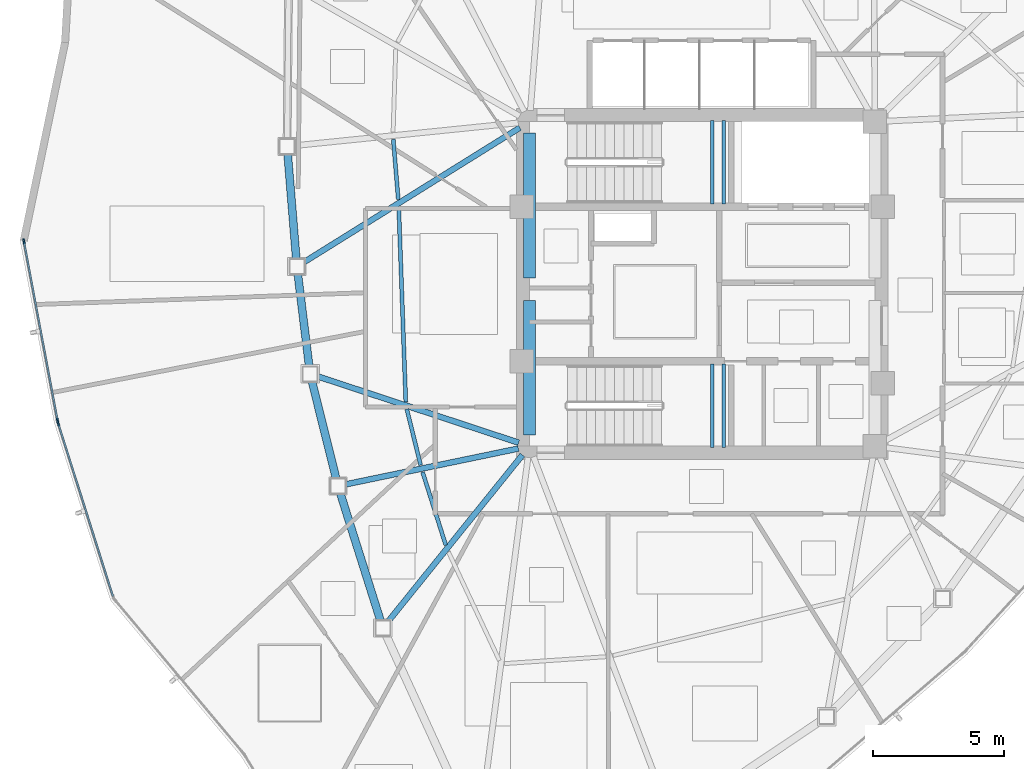
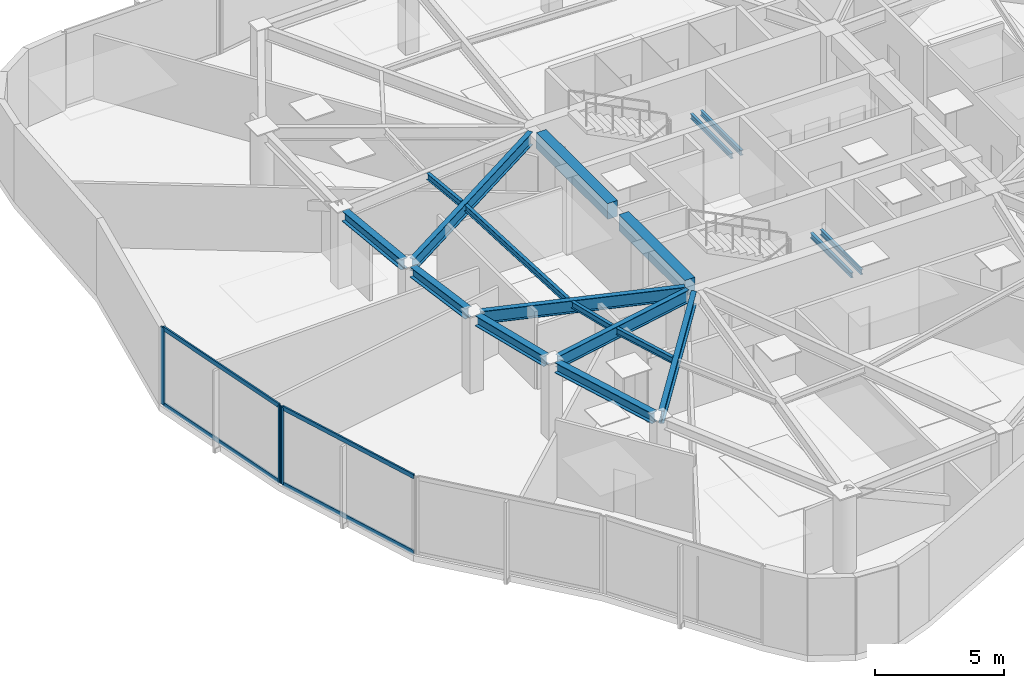
# One storey, part 3 of 13: 18 beams, 7 members, 2 elements without a shape of their own.
"""IFC4 building model written with IfcOpenShell, lengths in metres."""

from ifc_helpers import new_model, si_unit, direction, frame, origin, origin_2d, place, context, subcontext, project, spatial, rectangle, hollow_rectangle, i_section, extrude, source, transform, mapped, material, layer, layer_set, material_profile, profile_set, type_object, type_shapes, element, aggregate, save


model = new_model("IFC4")

# Units and contexts
model_context = context("Model", 3, precision=1e-05, world=origin(), true_north=direction((0.0, 1.0)))
body_context = subcontext(model_context, "Body", "Model", "MODEL_VIEW")
ifc_project = project(units=[si_unit("LENGTHUNIT", "METRE"), si_unit("AREAUNIT", "SQUARE_METRE"), si_unit("VOLUMEUNIT", "CUBIC_METRE"), si_unit("PLANEANGLEUNIT", "RADIAN"), si_unit("MASSUNIT", "GRAM", prefix="KILO")], contexts=[model_context])

# Site, building, storey
site_placement = place(None, origin())
site = spatial("IfcSite", under=ifc_project, at=site_placement, CompositionType="ELEMENT")
building_placement = place(site_placement, origin())
building = spatial("IfcBuilding", under=site, at=building_placement, Name="Tavelor Broadcast Tower", CompositionType="ELEMENT")
storey_placement = place(building_placement, frame((0.0, 0.0, 226.10009765625)))
storey = spatial("IfcBuildingStorey", under=building, at=storey_placement, Name="L53", CompositionType="ELEMENT", Elevation=226.10009765625)

# Beams
ifc_material_1 = material(Name="Concrete C40/50", Category="concrete")
ifc_material_profile_1 = material_profile(ifc_material_1, rectangle(XDim=0.449951171875, YDim=0.75, at=origin_2d()), Name="RC 450x750")
ifc_profile_set_1 = profile_set([ifc_material_profile_1], Name="Concrete C40/50")
beam_type_1 = type_object("IfcBeamType", Name="Basement Core Trim Beam 450x750", PredefinedType="BEAM", material=ifc_profile_set_1)
beam_1_placement = place(storey_placement, frame((43.39990234375, 45.23193359375, 3.27490234375), z_axis=(0.0, 1.0, 0.0), x_axis=(-1.0, 0.0, 0.0)))
element("IfcBeam", 1, at=beam_1_placement, inside=storey, type_object=beam_type_1, Name="L53 Core West-N Tie Girder", PredefinedType="BEAM", context=body_context, shape_type="SweptSolid", body=[
    extrude(rectangle(XDim=0.449951171875, YDim=0.75, at=origin_2d()), origin(), (0.0, 0.0, 1.0), 5.5361328125),
])
beam_2_placement = place(storey_placement, frame((43.39990234375, 39.23193359375, 3.27490234375), z_axis=(0.0, 1.0, 0.0), x_axis=(-1.0, 0.0, 0.0)))
element("IfcBeam", 2, at=beam_2_placement, inside=storey, type_object=beam_type_1, Name="L53 Core West-S Tie Girder", PredefinedType="BEAM", context=body_context, shape_type="SweptSolid", body=[
    extrude(rectangle(XDim=0.449951171875, YDim=0.75, at=origin_2d()), origin(), (0.0, 0.0, 1.0), 5.135986328125),
])
ifc_material_2 = material(Name="Steel S355", Category="steel")
ifc_material_profile_2 = material_profile(ifc_material_2, i_section(OverallWidth=0.14990234375, OverallDepth=0.300048828125, WebThickness=0.007080078125, FlangeThickness=0.0107421875, at=origin_2d()), Name="IPE 300")
ifc_profile_set_2 = profile_set([ifc_material_profile_2], Name="Steel S355")
beam_type_2 = type_object("IfcBeamType", Name="Composite Floor Joist T5 IPE 300", PredefinedType="JOIST", material=ifc_profile_set_2)
beam_3_placement = place(storey_placement, frame((38.19580078125, 50.529541015625, 3.5), z_axis=(0.082940684636, -0.996554485631, 0.0), x_axis=(0.996554485631, 0.082940684636, 0.0)))
element("IfcBeam", 3, at=beam_3_placement, inside=storey, type_object=beam_type_2, Name="L53 Secondary Composite Floor Joist 02", PredefinedType="JOIST", context=body_context, shape_type="SweptSolid", body=[
    extrude(i_section(OverallWidth=0.14990234375, OverallDepth=0.300048828125, WebThickness=0.007080078125, FlangeThickness=0.0107421875, at=origin_2d()), origin(), (0.0, 0.0, 1.0), 2.313720703125),
])
beam_4_placement = place(storey_placement, frame((38.404296875, 47.945556640625, 3.5), z_axis=(0.036223057878, -0.999343729694, 0.0), x_axis=(0.999343729694, 0.036223057878, 0.0)))
element("IfcBeam", 4, at=beam_4_placement, inside=storey, type_object=beam_type_2, Name="L53 Secondary Composite Floor Joist 03", PredefinedType="JOIST", context=body_context, shape_type="SweptSolid", body=[
    extrude(i_section(OverallWidth=0.14990234375, OverallDepth=0.300048828125, WebThickness=0.007080078125, FlangeThickness=0.0107421875, at=origin_2d()), origin(), (0.0, 0.0, 1.0), 7.454345703125),
])
beam_5_placement = place(storey_placement, frame((38.712646484375, 40.221435546875, 3.5), z_axis=(0.239592093356, -0.970873642037, 0.0), x_axis=(0.970873642037, 0.239592093356, 0.0)))
element("IfcBeam", 5, at=beam_5_placement, inside=storey, type_object=beam_type_2, Name="L53 Secondary Composite Floor Joist 04", PredefinedType="JOIST", context=body_context, shape_type="SweptSolid", body=[
    extrude(i_section(OverallWidth=0.14990234375, OverallDepth=0.300048828125, WebThickness=0.007080078125, FlangeThickness=0.0107421875, at=origin_2d()), origin(), (0.0, 0.0, 1.0), 2.2060546875),
])
beam_6_placement = place(storey_placement, frame((39.316650390625, 37.811279296875, 3.5), z_axis=(0.302412009178, -0.953177306017, 0.0), x_axis=(0.953177306017, 0.302412009178, 0.0)))
element("IfcBeam", 6, at=beam_6_placement, inside=storey, type_object=beam_type_2, Name="L53 Secondary Composite Floor Joist 05", PredefinedType="JOIST", context=body_context, shape_type="SweptSolid", body=[
    extrude(i_section(OverallWidth=0.14990234375, OverallDepth=0.300048828125, WebThickness=0.007080078125, FlangeThickness=0.0107421875, at=origin_2d()), origin(), (0.0, 0.0, 1.0), 2.92822265625),
])
ifc_material_profile_3 = material_profile(ifc_material_2, i_section(OverallWidth=0.300048828125, OverallDepth=0.489990234375, WebThickness=0.011962890625, FlangeThickness=0.02294921875, at=origin_2d()), Name="HEA 500")
ifc_profile_set_3 = profile_set([ifc_material_profile_3], Name="Steel S355")
beam_type_3 = type_object("IfcBeamType", Name="Perimeter Spandrel Beam T5 HEA 500", PredefinedType="SPANDREL", material=ifc_profile_set_3)
beam_7_placement = place(storey_placement, frame((34.16064453125, 49.968994140625, 3.40478515625), z_axis=(0.081762275835, -0.996651860105, 0.0), x_axis=(0.996651860105, 0.081762275835, 0.0)))
element("IfcBeam", 7, at=beam_7_placement, inside=storey, type_object=beam_type_3, Name="L53 Framed-Tube Ring Spandrel 02", PredefinedType="SPANDREL", context=body_context, shape_type="SweptSolid", body=[
    extrude(i_section(OverallWidth=0.300048828125, OverallDepth=0.489990234375, WebThickness=0.011962890625, FlangeThickness=0.02294921875, at=origin_2d()), origin(), (0.0, 0.0, 1.0), 4.031005859375),
])
beam_8_placement = place(storey_placement, frame((34.548828125, 45.378662109375, 3.40478515625), z_axis=(0.122285270418, -0.99249499376, 0.0), x_axis=(0.99249499376, 0.122285270418, 0.0)))
element("IfcBeam", 8, at=beam_8_placement, inside=storey, type_object=beam_type_3, Name="L53 Framed-Tube Ring Spandrel 03", PredefinedType="SPANDREL", context=body_context, shape_type="SweptSolid", body=[
    extrude(i_section(OverallWidth=0.300048828125, OverallDepth=0.489990234375, WebThickness=0.011962890625, FlangeThickness=0.02294921875, at=origin_2d()), origin(), (0.0, 0.0, 1.0), 3.5556640625),
])
beam_9_placement = place(storey_placement, frame((35.08837890625, 41.284423828125, 3.40478515625), z_axis=(0.24127750007, -0.970456164883, 0.0), x_axis=(0.970456164883, 0.24127750007, 0.0)))
element("IfcBeam", 9, at=beam_9_placement, inside=storey, type_object=beam_type_3, Name="L53 Framed-Tube Ring Spandrel 04", PredefinedType="SPANDREL", context=body_context, shape_type="SweptSolid", body=[
    extrude(i_section(OverallWidth=0.300048828125, OverallDepth=0.489990234375, WebThickness=0.011962890625, FlangeThickness=0.02294921875, at=origin_2d()), origin(), (0.0, 0.0, 1.0), 3.8359375),
])
beam_10_placement = place(storey_placement, frame((36.170166015625, 37.0078125, 3.40478515625), z_axis=(0.300957826527, -0.95363745032, 0.0), x_axis=(0.95363745032, 0.300957826527, 0.0)))
element("IfcBeam", 10, at=beam_10_placement, inside=storey, type_object=beam_type_3, Name="L53 Framed-Tube Ring Spandrel 05", PredefinedType="SPANDREL", context=body_context, shape_type="SweptSolid", body=[
    extrude(i_section(OverallWidth=0.300048828125, OverallDepth=0.489990234375, WebThickness=0.011962890625, FlangeThickness=0.02294921875, at=origin_2d()), origin(), (0.0, 0.0, 1.0), 5.1171875),
])
ifc_material_profile_4 = material_profile(ifc_material_2, i_section(OverallWidth=0.219970703125, OverallDepth=0.60009765625, WebThickness=0.011962890625, FlangeThickness=0.01904296875, at=origin_2d()), Name="IPE 600")
ifc_profile_set_4 = profile_set([ifc_material_profile_4], Name="Steel S355")
beam_type_4 = type_object("IfcBeamType", Name="Radial Floor Girder T5 IPE 600", PredefinedType="BEAM", material=ifc_profile_set_4)
beam_11_placement = place(storey_placement, frame((43.033203125, 50.9716796875, 3.349853515625), z_axis=(-0.848782406462, -0.528742306309, 0.0), x_axis=(0.528742306309, -0.848782406462, 0.0)))
element("IfcBeam", 11, at=beam_11_placement, inside=storey, type_object=beam_type_4, Name="L53 Radial Primary Floor Girder 03", PredefinedType="BEAM", context=body_context, shape_type="SweptSolid", body=[
    extrude(i_section(OverallWidth=0.219970703125, OverallDepth=0.60009765625, WebThickness=0.011962890625, FlangeThickness=0.01904296875, at=origin_2d()), origin(), (0.0, 0.0, 1.0), 9.7490234375),
])
beam_12_placement = place(storey_placement, frame((42.98974609375, 38.935302734375, 3.349853515625), z_axis=(-0.949693529109, 0.313180779692, 0.0), x_axis=(-0.313180779692, -0.949693529109, 0.0)))
element("IfcBeam", 12, at=beam_12_placement, inside=storey, type_object=beam_type_4, Name="L53 Radial Primary Floor Girder 04", PredefinedType="BEAM", context=body_context, shape_type="SweptSolid", body=[
    extrude(i_section(OverallWidth=0.219970703125, OverallDepth=0.60009765625, WebThickness=0.011962890625, FlangeThickness=0.01904296875, at=origin_2d()), origin(), (0.0, 0.0, 1.0), 8.10498046875),
])
beam_13_placement = place(storey_placement, frame((42.97705078125, 38.71240234375, 3.349853515625), z_axis=(-0.979152429868, -0.203126854658, 0.0), x_axis=(0.203126854658, -0.979152429868, 0.0)))
element("IfcBeam", 13, at=beam_13_placement, inside=storey, type_object=beam_type_4, Name="L53 Radial Primary Floor Girder 05", PredefinedType="BEAM", context=body_context, shape_type="SweptSolid", body=[
    extrude(i_section(OverallWidth=0.219970703125, OverallDepth=0.60009765625, WebThickness=0.011962890625, FlangeThickness=0.01904296875, at=origin_2d()), origin(), (0.0, 0.0, 1.0), 6.75244140625),
])
beam_14_placement = place(storey_placement, frame((43.12890625, 38.463623046875, 3.349853515625), z_axis=(-0.627821660469, -0.778357220463, 0.0), x_axis=(0.778357220463, -0.627821660469, 0.0)))
element("IfcBeam", 14, at=beam_14_placement, inside=storey, type_object=beam_type_4, Name="L53 Radial Primary Floor Girder 06", PredefinedType="BEAM", context=body_context, shape_type="SweptSolid", body=[
    extrude(i_section(OverallWidth=0.219970703125, OverallDepth=0.60009765625, WebThickness=0.011962890625, FlangeThickness=0.01904296875, at=origin_2d()), origin(), (0.0, 0.0, 1.0), 8.204833984375),
])
ifc_material_profile_5 = material_profile(ifc_material_2, i_section(OverallWidth=0.1201171875, OverallDepth=0.239990234375, WebThickness=0.006103515625, FlangeThickness=0.009765625, at=origin_2d()), Name="IPE 240")
ifc_profile_set_5 = profile_set([ifc_material_profile_5], Name="Steel S355")
beam_type_5 = type_object("IfcBeamType", Name="Stairwell Landing Support Trimmer Beam IPE240", PredefinedType="BEAM", material=ifc_profile_set_5)
for number, where, z_axis, x_axis, name in (
    (15, (50.385009765625, 48.06005859375, 1.659912109375), (0.0, 1.0, 0.0), (-1.0, 0.0, 0.0), "L53 Stair Landing Support Beam 147"),
    (16, (50.824951171875, 48.06005859375, 1.659912109375), (0.0, 1.0, 0.0), (-1.0, 0.0, 0.0), "L53 Stair Landing Support Beam 148"),
    (17, (50.385009765625, 38.760009765625, 1.659912109375), (0.0, 1.0, 0.0), (-1.0, 0.0, 0.0), "L53 Stair Landing Support Beam 361"),
    (18, (50.824951171875, 38.760009765625, 1.659912109375), (0.0, 1.0, 0.0), (-1.0, 0.0, 0.0), "L53 Stair Landing Support Beam 362"),
):
    element("IfcBeam", number, at=place(storey_placement, frame(where, z_axis=z_axis, x_axis=x_axis)), inside=storey, type_object=beam_type_5, Name=name, PredefinedType="BEAM", context=body_context, shape_type="SweptSolid", body=[
        extrude(i_section(OverallWidth=0.1201171875, OverallDepth=0.239990234375, WebThickness=0.006103515625, FlangeThickness=0.009765625, at=origin_2d()), origin(), (0.0, 0.0, 1.0), 3.179931640625),
    ])

# Curtain wall, members
ifc_material_3 = material(Name="Architectural Anodized Aluminium", Category="aluminium")
ifc_layer = layer(ifc_material_3, 0.199951171875)
ifc_layer_set = layer_set([ifc_layer], Name="Architectural Anodized Aluminium")
curtain_wall_type = type_object("IfcCurtainWallType", Name="Tower High-Zone Triple-Glazed Curtain Wall CW04", PredefinedType="NOTDEFINED", material=ifc_layer_set)
curtain_wall_1_placement = place(storey_placement, origin())
curtain_wall_1 = element("IfcCurtainWall", 19, at=curtain_wall_1_placement, inside=storey, type_object=curtain_wall_type, Name="L53 Curtain Wall CW04 Run 565", PredefinedType="NOTDEFINED")
ifc_material_profile_6 = material_profile(ifc_material_3, hollow_rectangle(XDim=0.070068359375, YDim=0.199951171875, WallThickness=0.02197265625, at=origin_2d()), Name="RHS 70x200x22")
ifc_profile_set_6 = profile_set([ifc_material_profile_6], Name="Architectural Anodized Aluminium")
member_type_1 = type_object("IfcMemberType", Name="CW04 Extruded Aluminium Mullion 70x200", PredefinedType="MULLION", material=ifc_profile_set_6)
shared_shape_1 = source(origin(), body_context, "Body", "SweptSolid", [
    extrude(hollow_rectangle(XDim=0.070068359375, YDim=0.199951171875, WallThickness=0.02197265625, at=origin_2d()), origin(), (0.0, 0.0, 1.0), 3.64990234375),
])
type_shapes(member_type_1, [shared_shape_1])
member_1_placement = place(storey_placement, frame((24.08251953125, 46.6298828125, 0.0), z_axis=(0.0, 0.0, 1.0), x_axis=(0.982855163116, 0.184379305609, 0.0)))
member_1 = element("IfcMember", 20, at=member_1_placement, type_object=member_type_1, Name="CW04 mullion 1", PredefinedType="MULLION", context=body_context, shape_type="MappedRepresentation", body=[
    mapped(shared_shape_1, transform((0.0, 0.0, 0.0), scale=1.0)),
])
member_2_placement = place(storey_placement, frame((25.36962890625, 39.76904296875, 0.0), z_axis=(0.0, 0.0, 1.0), x_axis=(0.982855163116, 0.184379305609, 0.0)))
member_2 = element("IfcMember", 21, at=member_2_placement, type_object=member_type_1, Name="CW04 mullion 2", PredefinedType="MULLION", context=body_context, shape_type="MappedRepresentation", body=[
    mapped(shared_shape_1, transform((0.0, 0.0, 0.0), scale=1.0)),
])

# Curtain wall, member
curtain_wall_2_placement = place(storey_placement, origin())
curtain_wall_2 = element("IfcCurtainWall", 22, at=curtain_wall_2_placement, inside=storey, type_object=curtain_wall_type, Name="L53 Curtain Wall CW04 Run 566", PredefinedType="NOTDEFINED")
member_3_placement = place(storey_placement, frame((25.39404296875, 39.672119140625, 0.0), z_axis=(0.0, 0.0, 1.0), x_axis=(0.953320883456, 0.301959091875, 0.0)))
member_3 = element("IfcMember", 23, at=member_3_placement, type_object=member_type_1, Name="CW04 mullion 1", PredefinedType="MULLION", context=body_context, shape_type="MappedRepresentation", body=[
    mapped(shared_shape_1, transform((0.0, 0.0, 0.0), scale=1.0)),
])

# Member
ifc_material_profile_7 = material_profile(ifc_material_3, hollow_rectangle(XDim=0.070068359375, YDim=0.199951171875, WallThickness=0.02197265625, at=origin_2d()), Name="RHS 70x200x22")
ifc_profile_set_7 = profile_set([ifc_material_profile_7], Name="Architectural Anodized Aluminium")
member_type_2 = type_object("IfcMemberType", Name="CW04 Extruded Aluminium Transom 70x200", PredefinedType="USERDEFINED", material=ifc_profile_set_7)
shared_shape_2 = source(origin(), body_context, "Body", "SweptSolid", [
    extrude(hollow_rectangle(XDim=0.070068359375, YDim=0.199951171875, WallThickness=0.02197265625, at=origin_2d()), origin(), (0.0, 0.0, 1.0), 6.91064453125),
])
member_4_placement = place(storey_placement, frame((24.089111328125, 46.595703125, 0.034912109375), z_axis=(0.184375987384, -0.982855785594, 0.0), x_axis=(0.982855785594, 0.184375987384, 0.0)))
member_4 = element("IfcMember", 24, at=member_4_placement, type_object=member_type_2, Name="CW04 transom 1.1", ObjectType="TRANSOM", PredefinedType="USERDEFINED", context=body_context, shape_type="MappedRepresentation", body=[
    mapped(shared_shape_2, transform((0.0, 0.0, 0.0), scale=1.0)),
])

member_5_placement = place(storey_placement, frame((24.089111328125, 46.595703125, 3.614990234375), z_axis=(0.184375987384, -0.982855785594, 0.0), x_axis=(0.982855785594, 0.184375987384, 0.0)))
member_5 = element("IfcMember", 25, at=member_5_placement, type_object=member_type_2, Name="CW04 transom 1.2", ObjectType="TRANSOM", PredefinedType="USERDEFINED", context=body_context, shape_type="MappedRepresentation", body=[
    mapped(shared_shape_2, transform((0.0, 0.0, 0.0), scale=1.0)),
])

aggregate(curtain_wall_1, [member_1, member_2, member_4, member_5])

shared_shape_3 = source(origin(), body_context, "Body", "SweptSolid", [
    extrude(hollow_rectangle(XDim=0.070068359375, YDim=0.199951171875, WallThickness=0.02197265625, at=origin_2d()), origin(), (0.0, 0.0, 1.0), 6.895751953125),
])
type_shapes(member_type_2, [shared_shape_2, shared_shape_3])
member_6_placement = place(storey_placement, frame((25.404541015625, 39.638916015625, 0.034912109375), z_axis=(0.3019598124, -0.953320655234, 0.0), x_axis=(0.953320655234, 0.3019598124, 0.0)))
member_6 = element("IfcMember", 26, at=member_6_placement, type_object=member_type_2, Name="CW04 transom 1.1", ObjectType="TRANSOM", PredefinedType="USERDEFINED", context=body_context, shape_type="MappedRepresentation", body=[
    mapped(shared_shape_3, transform((0.0, 0.0, 0.0), scale=1.0)),
])

member_7_placement = place(storey_placement, frame((25.404541015625, 39.638916015625, 3.614990234375), z_axis=(0.3019598124, -0.953320655234, 0.0), x_axis=(0.953320655234, 0.3019598124, 0.0)))
member_7 = element("IfcMember", 27, at=member_7_placement, type_object=member_type_2, Name="CW04 transom 1.2", ObjectType="TRANSOM", PredefinedType="USERDEFINED", context=body_context, shape_type="MappedRepresentation", body=[
    mapped(shared_shape_3, transform((0.0, 0.0, 0.0), scale=1.0)),
])

aggregate(curtain_wall_2, [member_3, member_6, member_7])

save(model, "model.ifc")
